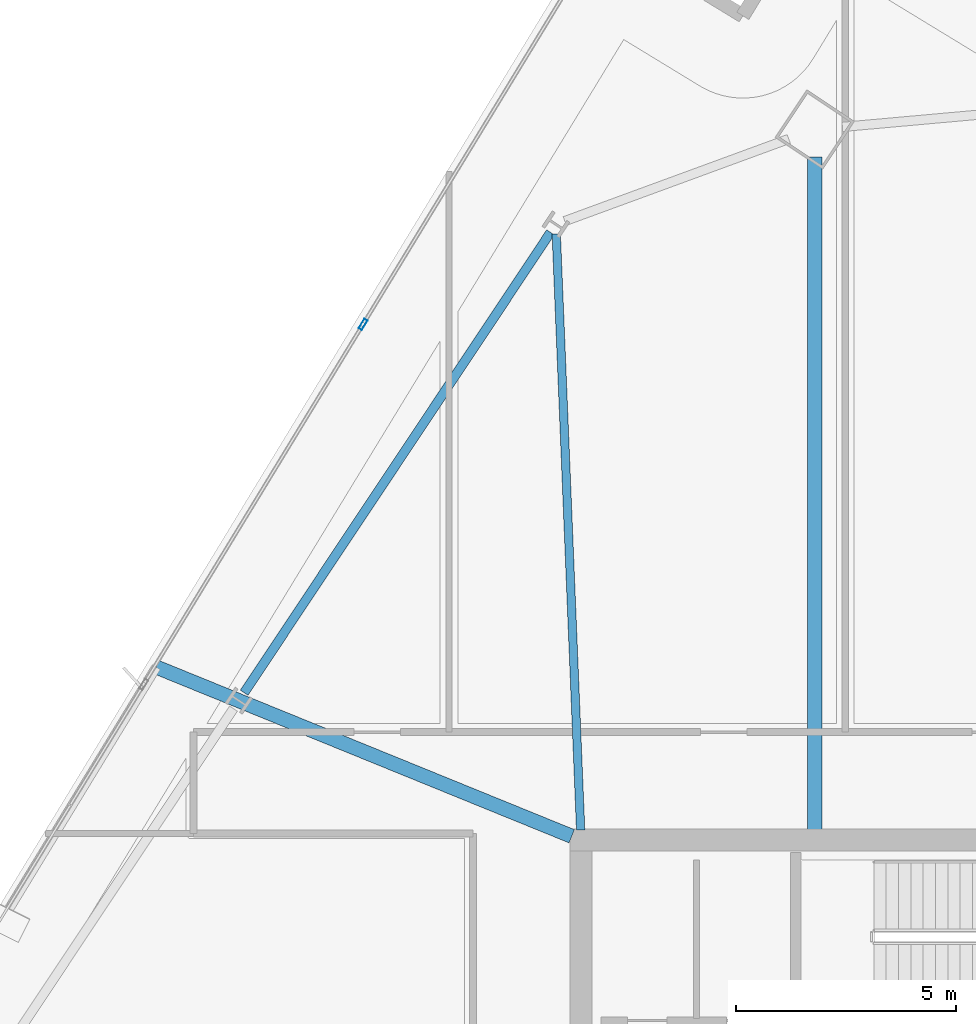
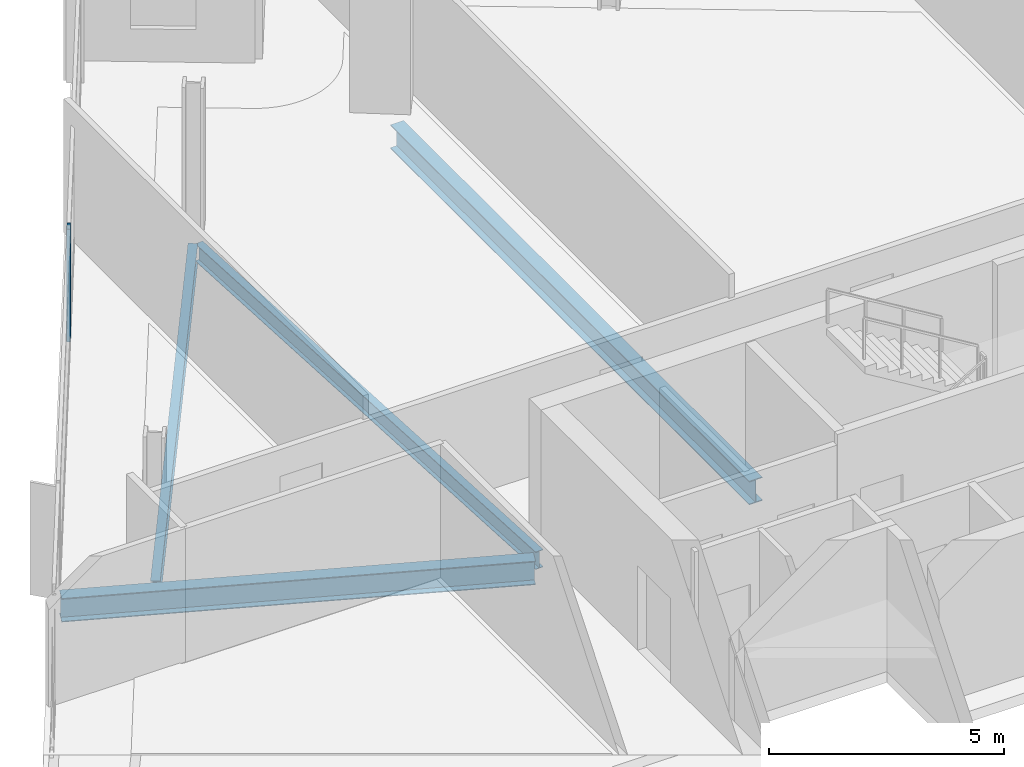
# One storey, part 14 of 28: 4 beams, 1 member, 1 element without a shape of its own.
"""IFC4 building model written with IfcOpenShell, lengths in metres."""

from ifc_helpers import new_model, si_unit, direction, frame, origin, origin_2d, place, context, subcontext, project, spatial, hollow_rectangle, i_section, extrude, material, material_profile, profile_set, type_object, element, aggregate, save


model = new_model("IFC4")

# Units and contexts
model_context = context("Model", 3, precision=1e-05, world=origin(), true_north=direction((0.0, 1.0)))
body_context = subcontext(model_context, "Body", "Model", "MODEL_VIEW")
ifc_project = project(units=[si_unit("LENGTHUNIT", "METRE"), si_unit("AREAUNIT", "SQUARE_METRE"), si_unit("VOLUMEUNIT", "CUBIC_METRE"), si_unit("PLANEANGLEUNIT", "RADIAN"), si_unit("MASSUNIT", "GRAM", prefix="KILO")], contexts=[model_context])

# Site, building, storey
site_placement = place(None, origin())
site = spatial("IfcSite", under=ifc_project, at=site_placement, CompositionType="ELEMENT")
building_placement = place(site_placement, origin())
building = spatial("IfcBuilding", under=site, at=building_placement, Name="Haldenkirk Collegiate Tower", CompositionType="ELEMENT")
storey_placement = place(building_placement, frame((0.0, 0.0, 224.699951171875)))
storey = spatial("IfcBuildingStorey", under=building, at=storey_placement, Name="L56", CompositionType="ELEMENT", Elevation=224.699951171875)

# Beams
ifc_material_1 = material(Name="Steel ASTM A992 Grade 50", Category="steel")
ifc_material_profile_1 = material_profile(ifc_material_1, i_section(OverallWidth=0.324951171875, OverallDepth=0.615966796875, WebThickness=0.013916015625, FlangeThickness=0.021484375, at=origin_2d()), Name="W24X117")
ifc_profile_set_1 = profile_set([ifc_material_profile_1], Name="Steel ASTM A992 Grade 50")
beam_type_1 = type_object("IfcBeamType", Name="BM-GIRDER-W24X117", PredefinedType="BEAM", material=ifc_profile_set_1)
beam_1_placement = place(storey_placement, frame((32.30810546875, 49.5107421875, -0.587890625), z_axis=(0.0, -1.0, 0.0), x_axis=(1.0, 0.0, 0.0)))
element("IfcBeam", 1, at=beam_1_placement, inside=storey, type_object=beam_type_1, Name="L56 primary floor girder 03", PredefinedType="BEAM", context=body_context, shape_type="SweptSolid", body=[
    extrude(i_section(OverallWidth=0.324951171875, OverallDepth=0.615966796875, WebThickness=0.013916015625, FlangeThickness=0.021484375, at=origin_2d()), origin(), (0.0, 0.0, 1.0), 15.28076171875),
])
beam_2_placement = place(storey_placement, frame((17.353515625, 37.92822265625, -0.587890625), z_axis=(0.926152833736, -0.377148417154, 0.0), x_axis=(0.377148417154, 0.926152833736, 0.0)))
element("IfcBeam", 2, at=beam_2_placement, inside=storey, type_object=beam_type_1, Name="L56 primary floor girder 12", PredefinedType="BEAM", context=body_context, shape_type="SweptSolid", body=[
    extrude(i_section(OverallWidth=0.324951171875, OverallDepth=0.615966796875, WebThickness=0.013916015625, FlangeThickness=0.021484375, at=origin_2d()), origin(), (0.0, 0.0, 1.0), 10.185791015625),
])
ifc_material_profile_2 = material_profile(ifc_material_1, i_section(OverallWidth=0.18994140625, OverallDepth=0.45703125, WebThickness=0.009033203125, FlangeThickness=0.014404296875, at=origin_2d()), Name="W18X50")
ifc_profile_set_2 = profile_set([ifc_material_profile_2], Name="Steel ASTM A992 Grade 50")
beam_type_2 = type_object("IfcBeamType", Name="BM-JOIST-W18X50", PredefinedType="JOIST", material=ifc_profile_set_2)
beam_3_placement = place(storey_placement, frame((26.4365234375, 47.76708984375, -0.508544921875), z_axis=(0.040886268065, -0.999163806932, 0.0), x_axis=(0.999163806932, 0.040886268065, 0.0)))
element("IfcBeam", 3, at=beam_3_placement, inside=storey, type_object=beam_type_2, Name="L56 composite floor joist 11", PredefinedType="JOIST", context=body_context, shape_type="SweptSolid", body=[
    extrude(i_section(OverallWidth=0.18994140625, OverallDepth=0.45703125, WebThickness=0.009033203125, FlangeThickness=0.014404296875, at=origin_2d()), origin(), (0.0, 0.0, 1.0), 13.548583984375),
])
ifc_material_profile_3 = material_profile(ifc_material_1, i_section(OverallWidth=0.2099609375, OverallDepth=0.537109375, WebThickness=0.010986328125, FlangeThickness=0.017333984375, at=origin_2d()), Name="W21X68")
ifc_profile_set_3 = profile_set([ifc_material_profile_3], Name="Steel ASTM A992 Grade 50")
beam_type_3 = type_object("IfcBeamType", Name="BM-SPANDREL-W21X68", PredefinedType="SPANDREL", material=ifc_profile_set_3)
beam_4_placement = place(storey_placement, frame((26.3076171875, 47.80322265625, -0.54833984375), z_axis=(-0.554125989098, -0.832432813028, 0.0), x_axis=(0.832432813028, -0.554125989098, 0.0)))
element("IfcBeam", 4, at=beam_4_placement, inside=storey, type_object=beam_type_3, Name="L56 perimeter spandrel beam 10", PredefinedType="SPANDREL", context=body_context, shape_type="SweptSolid", body=[
    extrude(i_section(OverallWidth=0.2099609375, OverallDepth=0.537109375, WebThickness=0.010986328125, FlangeThickness=0.017333984375, at=origin_2d()), origin(), (0.0, 0.0, 1.0), 12.56201171875),
])

# Curtain wall, member
ifc_material_2 = material(Name="Anodised architectural bronze aluminium", Category="aluminium")
curtain_wall_type = type_object("IfcCurtainWallType", Name="CW-SYS1B-CONVEX-HI", PredefinedType="USERDEFINED", material=ifc_material_2)
curtain_wall_placement = place(storey_placement, origin())
curtain_wall = element("IfcCurtainWall", 5, at=curtain_wall_placement, inside=storey, type_object=curtain_wall_type, Name="L56 Upper tower high-wind convex bronze unitised curtain wall", ObjectType="UNITISED CURTAIN WALL", PredefinedType="USERDEFINED")
ifc_material_profile_4 = material_profile(ifc_material_2, hollow_rectangle(XDim=0.0849609375, YDim=0.25, WallThickness=0.0048828125, at=origin_2d()), Name="CW-MUL-1B")
ifc_profile_set_4 = profile_set([ifc_material_profile_4], Name="Anodised architectural bronze aluminium")
member_type = type_object("IfcMemberType", Name="CW-MUL-1B", PredefinedType="MULLION", material=ifc_profile_set_4)
member_placement = place(storey_placement, frame((22.04833984375, 45.71142578125, 0.0), z_axis=(0.0, 0.0, 1.0), x_axis=(-0.854004384454, 0.520265808345, 0.0)))
member = element("IfcMember", 6, at=member_placement, type_object=member_type, Name="CW-1B mullion 4", PredefinedType="MULLION", context=body_context, shape_type="SweptSolid", body=[
    extrude(hollow_rectangle(XDim=0.0849609375, YDim=0.25, WallThickness=0.0048828125, at=origin_2d()), origin(), (0.0, 0.0, 1.0), 2.927978515625),
])
aggregate(curtain_wall, [member])

save(model, "model.ifc")
